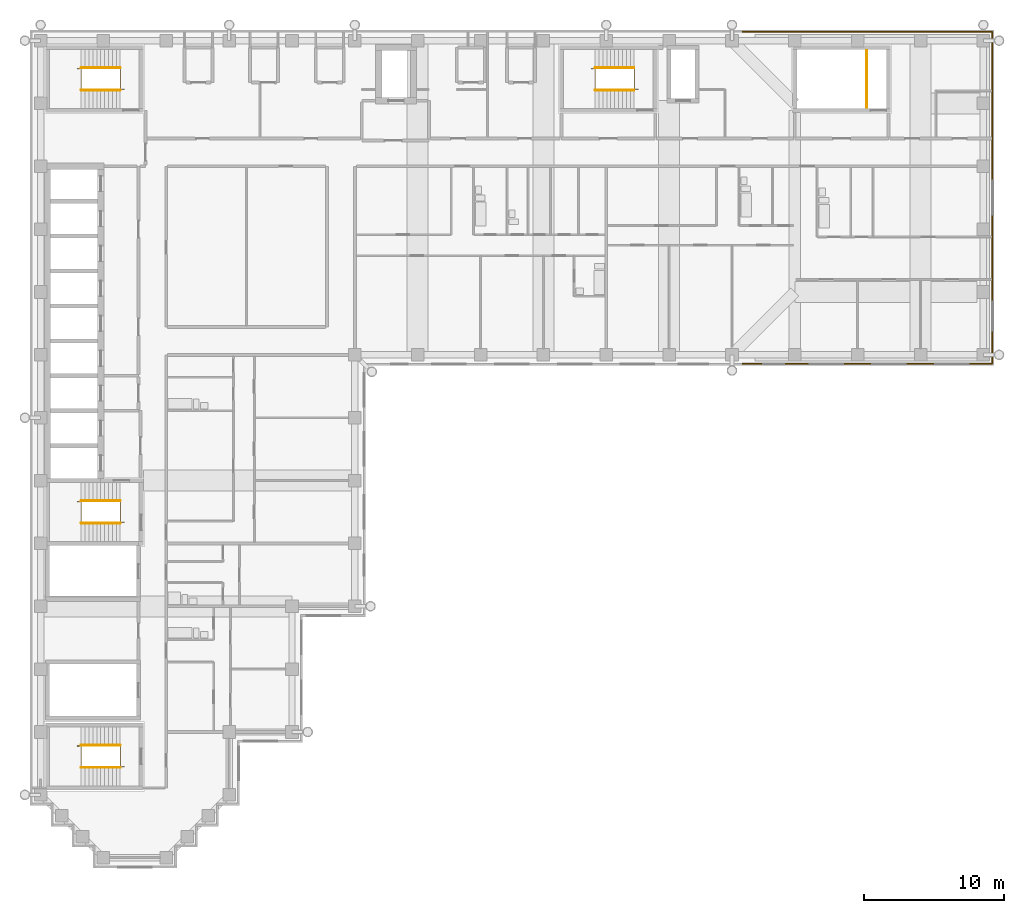
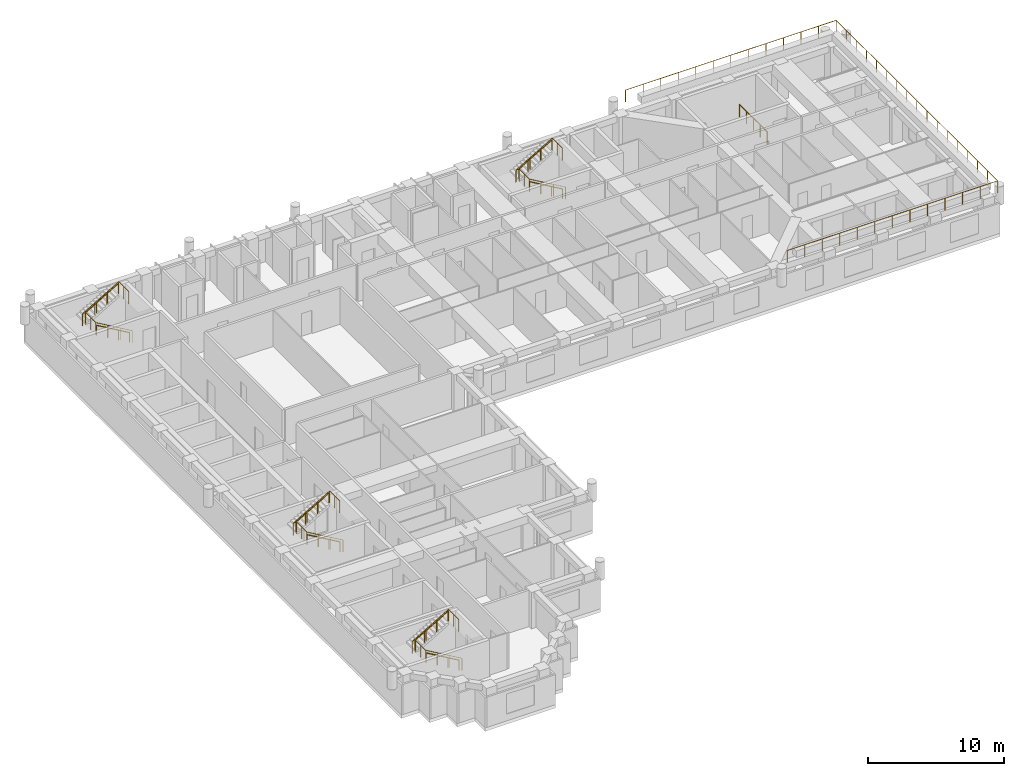
# One storey, part 13 of 14: 14 railings.
"""IFC4 building model written with IfcOpenShell, lengths in metres."""

import ifcopenshell
import ifcopenshell.guid

model = None  # the IFC model being written
_history = None  # IfcOwnerHistory: only IFC2X3 demands one
_inside = {}  # id of a spatial element -> (the spatial element, [elements in it])
_under = {}  # id of a project, library or spatial element -> (it, [spatial elements below it])
_declared = {}  # id of a project -> (the project, [libraries it declares])
_typed = {}  # id of a type object -> (the type object, [elements of that type])
_made_of = {}  # id of a material, layer set ... -> (it, [elements and type objects made of it])


def new_model(schema):
    """Start an empty IFC model of exactly this schema.

    Asked for "IFC4X3", IfcOpenShell would pick the latest addendum, in which some entities
    have other attributes; the version numbers below select the first issue.
    IFC2X3 requires an IfcOwnerHistory on every rooted entity: one is made here for all.
    """
    global model, _history
    if schema == "IFC4X3":
        model = ifcopenshell.file(schema_version=(4, 3, 0, 0))
    else:
        model = ifcopenshell.file(schema=schema)
    _inside.clear()
    _under.clear()
    _declared.clear()
    _typed.clear()
    _made_of.clear()
    _history = None
    if model.schema == "IFC2X3":
        org = make("IfcOrganization", Name="unknown")
        user = make(
            "IfcPersonAndOrganization",
            ThePerson=make("IfcPerson", FamilyName="unknown"),
            TheOrganization=org,
        )
        app = make(
            "IfcApplication",
            ApplicationDeveloper=org,
            Version="unknown",
            ApplicationFullName="unknown",
            ApplicationIdentifier="unknown",
        )
        _history = make(
            "IfcOwnerHistory",
            OwningUser=user,
            OwningApplication=app,
            ChangeAction="ADDED",
            CreationDate=0,
        )
    return model


def make(cls, **values):
    """One entity of the class cls with the attributes given. An attribute that is None is left unset."""
    return model.create_entity(
        cls, **{name: value for name, value in values.items() if value is not None}
    )


def rooted(cls, **values):
    """An entity with a GlobalId (a new one), such as an element, a storey or a relation."""
    return make(cls, GlobalId=ifcopenshell.guid.new(), OwnerHistory=_history, **values)


def si_unit(unit_type, name, prefix=None):
    """IfcSIUnit, for example si_unit("LENGTHUNIT", "METRE", prefix="MILLI")."""
    return make("IfcSIUnit", UnitType=unit_type, Prefix=prefix, Name=name)


def assignment(units):
    """IfcUnitAssignment: the units of a project."""
    return None if units is None else make("IfcUnitAssignment", Units=units)


def point(xyz):
    """IfcCartesianPoint."""
    return None if xyz is None else make("IfcCartesianPoint", Coordinates=xyz)


def direction(xyz):
    """IfcDirection."""
    return None if xyz is None else make("IfcDirection", DirectionRatios=xyz)


def frame(location, z_axis=None, x_axis=None):
    """IfcAxis2Placement3D, a coordinate frame: its origin and axes. An axis left out is left unset."""
    return make(
        "IfcAxis2Placement3D",
        Location=point(location),
        Axis=direction(z_axis),
        RefDirection=direction(x_axis),
    )


def frame_2d(location, x_axis=None):
    """IfcAxis2Placement2D, a coordinate frame in the plane: its origin and x axis."""
    return make(
        "IfcAxis2Placement2D", Location=point(location), RefDirection=direction(x_axis)
    )


def origin():
    """The frame at (0, 0, 0) with its axes left unset."""
    return frame((0.0, 0.0, 0.0))


def origin_2d():
    """The frame at (0, 0) in the plane with its x axis left unset."""
    return frame_2d((0.0, 0.0))


def place(relative_to, where):
    """IfcLocalPlacement: puts the frame where relative to a parent placement (None: the world)."""
    return make(
        "IfcLocalPlacement", PlacementRelTo=relative_to, RelativePlacement=where
    )


def context(
    kind, dimensions, precision=None, world=None, true_north=None, identifier=None
):
    """IfcGeometricRepresentationContext, for example the 3D "Model" context."""
    return make(
        "IfcGeometricRepresentationContext",
        ContextIdentifier=identifier,
        ContextType=kind,
        CoordinateSpaceDimension=dimensions,
        Precision=precision,
        WorldCoordinateSystem=world,
        TrueNorth=true_north,
    )


def subcontext(parent, identifier, kind, view, scale=None):
    """IfcGeometricRepresentationSubContext, for example "Body" below "Model"."""
    return make(
        "IfcGeometricRepresentationSubContext",
        ContextIdentifier=identifier,
        ContextType=kind,
        ParentContext=parent,
        TargetScale=scale,
        TargetView=view,
    )


def project(units=None, contexts=None):
    """IfcProject with its units and contexts."""
    return rooted(
        "IfcProject",
        Name="project",
        RepresentationContexts=contexts,
        UnitsInContext=assignment(units),
    )


def spatial(cls, under=None, at=None, **own):
    """A site, building, storey or space (cls), placed at a placement, below another one or the project."""
    s = rooted(cls, ObjectPlacement=at, **own)
    if under is not None:
        _under.setdefault(under.id(), (under, []))[1].append(s)
    return s


def profile(cls, at=None, kind="AREA", **sizes):
    """A parametric profile (cls). Its sizes go by their IFC names, for example OverallWidth=200.0."""
    return make(cls, ProfileType=kind, Position=at, **sizes)


def circle(**sizes):
    """IfcCircleProfileDef."""
    return profile("IfcCircleProfileDef", **sizes)


def extrude(swept, where, along, depth):
    """IfcExtrudedAreaSolid: the profile swept, set in the frame where, extruded along a direction by depth."""
    return make(
        "IfcExtrudedAreaSolid",
        SweptArea=swept,
        Position=where,
        ExtrudedDirection=direction(along),
        Depth=depth,
    )


def shape(context_of_items, identifier, shape_type, items):
    """IfcShapeRepresentation: the items that make up one representation, for example the "Body"."""
    return make(
        "IfcShapeRepresentation",
        ContextOfItems=context_of_items,
        RepresentationIdentifier=identifier,
        RepresentationType=shape_type,
        Items=items,
    )


def material(Name=None, Category=None):
    """IfcMaterial."""
    return make("IfcMaterial", Name=Name, Category=Category)


def made_of(thing, what):
    """Note that an element or type object is made of a material, layer set ...; save() writes the relation."""
    if what is not None:
        _made_of.setdefault(what.id(), (what, []))[1].append(thing)
    return thing


def type_object(cls, material=None, **own):
    """A type object (cls), such as IfcWallType, which elements share."""
    return made_of(rooted(cls, **own), material)


def element(
    cls,
    number,
    at=None,
    inside=None,
    cuts=None,
    type_object=None,
    material=None,
    context=None,
    identifier="Body",
    shape_type=None,
    held_by="IfcProductDefinitionShape",
    body=None,
    shapes=None,
    **own,
):
    """One element of the class cls, such as IfcWall. Its Tag is "e" and its number.

    at: its placement. inside: the storey or other place that contains it. cuts: it is an
    opening in that element (IfcRelVoidsElement). A single representation is given by context,
    identifier, shape_type and body (its items); several are given by shapes. held_by: the class
    of the entity that holds the representations. save() writes the other relations.
    """
    e = rooted(cls, Tag="e%d" % number, ObjectPlacement=at, **own)
    if body is not None:
        shapes = [shape(context, identifier, shape_type, body)]
    if shapes is not None:
        e.Representation = make(held_by, Representations=shapes)
    if inside is not None:
        _inside.setdefault(inside.id(), (inside, []))[1].append(e)
    if cuts is not None:
        rooted(
            "IfcRelVoidsElement", RelatingBuildingElement=cuts, RelatedOpeningElement=e
        )
    if type_object is not None:
        _typed.setdefault(type_object.id(), (type_object, []))[1].append(e)
    return made_of(e, material)


def aggregate(whole, parts):
    """IfcRelAggregates: a whole, such as a stair, and the parts it consists of."""
    return rooted("IfcRelAggregates", RelatingObject=whole, RelatedObjects=parts)


def save(model, path):
    """Write the relations noted so far, then the file.

    IfcRelAggregates (storeys below a building ...), IfcRelContainedInSpatialStructure (elements
    in a storey), IfcRelDefinesByType, IfcRelAssociatesMaterial and IfcRelDeclares: one each for
    every whole, place, type object, material and project.
    """
    for whole, parts in _under.values():
        aggregate(whole, parts)
    for where, things in _inside.values():
        rooted(
            "IfcRelContainedInSpatialStructure",
            RelatedElements=things,
            RelatingStructure=where,
        )
    for kind, things in _typed.values():
        rooted("IfcRelDefinesByType", RelatedObjects=things, RelatingType=kind)
    for what, things in _made_of.values():
        rooted("IfcRelAssociatesMaterial", RelatedObjects=things, RelatingMaterial=what)
    for by, libraries in _declared.values():
        rooted("IfcRelDeclares", RelatingContext=by, RelatedDefinitions=libraries)
    model.write(path)


model = new_model("IFC4")

# Units and contexts
model_context = context("Model", 3, precision=1e-05, world=origin(), true_north=direction((0.0, 1.0)))
body_context = subcontext(model_context, "Body", "Model", "MODEL_VIEW")
ifc_project = project(units=[si_unit("LENGTHUNIT", "METRE"), si_unit("AREAUNIT", "SQUARE_METRE"), si_unit("VOLUMEUNIT", "CUBIC_METRE"), si_unit("PLANEANGLEUNIT", "RADIAN"), si_unit("MASSUNIT", "GRAM", prefix="KILO")], contexts=[model_context])

# Site, building, storey
site_placement = place(None, origin())
site = spatial("IfcSite", under=ifc_project, at=site_placement, CompositionType="ELEMENT")
building_placement = place(site_placement, origin())
building = spatial("IfcBuilding", under=site, at=building_placement, Name="Firuza Court", CompositionType="ELEMENT")
storey_placement = place(building_placement, frame((0.0, 0.0, 182.60009765625)))
storey = spatial("IfcBuildingStorey", under=building, at=storey_placement, Name="L46", CompositionType="ELEMENT", Elevation=182.60009765625)

# Railings
ifc_material_1 = material(Name="Steel S355", Category="steel")
railing_type_1 = type_object("IfcRailingType", Name="Handrail 900", PredefinedType="HANDRAIL", material=ifc_material_1)
railing_1_placement = place(storey_placement, frame((42.5, 54.949951171875, 0.16357421875)))
element("IfcRailing", 1, at=railing_1_placement, inside=storey, type_object=railing_type_1, Name="Handrail S1 flight 1", PredefinedType="HANDRAIL", context=body_context, shape_type="SweptSolid", body=[
    extrude(circle(Radius=0.02490234375, at=origin_2d()), frame((0.0, 0.0, 0.875), z_axis=(-0.863393664356, 0.0, 0.504530851732), x_axis=(0.0, -1.0, 0.0)), (0.0, 0.0, 1.0), 3.2431640625),
    extrude(circle(Radius=0.02001953125, at=origin_2d()), origin(), (0.0, 0.0, 1.0), 0.849853515625),
    extrude(circle(Radius=0.02001953125, at=origin_2d()), frame((-0.933349609375, 0.0, 0.54541015625)), (0.0, 0.0, 1.0), 0.849853515625),
    extrude(circle(Radius=0.02001953125, at=origin_2d()), frame((-1.86669921875, 0.0, 1.0908203125)), (0.0, 0.0, 1.0), 0.849853515625),
    extrude(circle(Radius=0.02001953125, at=origin_2d()), frame((-2.800048828125, 0.0, 1.63623046875)), (0.0, 0.0, 1.0), 0.849853515625),
])
railing_2_placement = place(storey_placement, frame((39.699951171875, 56.550048828125, 1.963623046875)))
element("IfcRailing", 2, at=railing_2_placement, inside=storey, type_object=railing_type_1, Name="Handrail S1 flight 2", PredefinedType="HANDRAIL", context=body_context, shape_type="SweptSolid", body=[
    extrude(circle(Radius=0.02490234375, at=origin_2d()), frame((0.0, 0.0, 0.875), z_axis=(0.863393664356, 0.0, 0.504530851732), x_axis=(0.0, 1.0, 0.0)), (0.0, 0.0, 1.0), 3.2431640625),
    extrude(circle(Radius=0.02001953125, at=origin_2d()), origin(), (0.0, 0.0, 1.0), 0.849853515625),
    extrude(circle(Radius=0.02001953125, at=origin_2d()), frame((0.933349609375, 0.0, 0.54541015625)), (0.0, 0.0, 1.0), 0.849853515625),
    extrude(circle(Radius=0.02001953125, at=origin_2d()), frame((1.86669921875, 0.0, 1.0908203125)), (0.0, 0.0, 1.0), 0.849853515625),
    extrude(circle(Radius=0.02001953125, at=origin_2d()), frame((2.800048828125, 0.0, 1.63623046875)), (0.0, 0.0, 1.0), 0.849853515625),
])
railing_3_placement = place(storey_placement, frame((5.699951171875, 23.949951171875, 0.16357421875)))
element("IfcRailing", 3, at=railing_3_placement, inside=storey, type_object=railing_type_1, Name="Handrail S2 flight 1", PredefinedType="HANDRAIL", context=body_context, shape_type="SweptSolid", body=[
    extrude(circle(Radius=0.02490234375, at=origin_2d()), frame((0.0, 0.0, 0.875), z_axis=(-0.863393664356, 0.0, 0.504530851732), x_axis=(0.0, -1.0, 0.0)), (0.0, 0.0, 1.0), 3.2431640625),
    extrude(circle(Radius=0.02001953125, at=origin_2d()), origin(), (0.0, 0.0, 1.0), 0.849853515625),
    extrude(circle(Radius=0.02001953125, at=origin_2d()), frame((-0.933349609375, 0.0, 0.54541015625)), (0.0, 0.0, 1.0), 0.849853515625),
    extrude(circle(Radius=0.02001953125, at=origin_2d()), frame((-1.86669921875, 0.0, 1.0908203125)), (0.0, 0.0, 1.0), 0.849853515625),
    extrude(circle(Radius=0.02001953125, at=origin_2d()), frame((-2.800048828125, 0.0, 1.63623046875)), (0.0, 0.0, 1.0), 0.849853515625),
])
railing_4_placement = place(storey_placement, frame((2.89990234375, 25.550048828125, 1.963623046875)))
element("IfcRailing", 4, at=railing_4_placement, inside=storey, type_object=railing_type_1, Name="Handrail S2 flight 2", PredefinedType="HANDRAIL", context=body_context, shape_type="SweptSolid", body=[
    extrude(circle(Radius=0.02490234375, at=origin_2d()), frame((0.0, 0.0, 0.875), z_axis=(0.863393664356, 0.0, 0.504530851732), x_axis=(0.0, 1.0, 0.0)), (0.0, 0.0, 1.0), 3.2431640625),
    extrude(circle(Radius=0.02001953125, at=origin_2d()), origin(), (0.0, 0.0, 1.0), 0.849853515625),
    extrude(circle(Radius=0.02001953125, at=origin_2d()), frame((0.933349609375, 0.0, 0.54541015625)), (0.0, 0.0, 1.0), 0.849853515625),
    extrude(circle(Radius=0.02001953125, at=origin_2d()), frame((1.86669921875, 0.0, 1.0908203125)), (0.0, 0.0, 1.0), 0.849853515625),
    extrude(circle(Radius=0.02001953125, at=origin_2d()), frame((2.800048828125, 0.0, 1.63623046875)), (0.0, 0.0, 1.0), 0.849853515625),
])
railing_5_placement = place(storey_placement, frame((5.699951171875, 54.949951171875, 0.16357421875)))
element("IfcRailing", 5, at=railing_5_placement, inside=storey, type_object=railing_type_1, Name="Handrail S3 flight 1", PredefinedType="HANDRAIL", context=body_context, shape_type="SweptSolid", body=[
    extrude(circle(Radius=0.02490234375, at=origin_2d()), frame((0.0, 0.0, 0.875), z_axis=(-0.863393664356, 0.0, 0.504530851732), x_axis=(0.0, -1.0, 0.0)), (0.0, 0.0, 1.0), 3.2431640625),
    extrude(circle(Radius=0.02001953125, at=origin_2d()), origin(), (0.0, 0.0, 1.0), 0.849853515625),
    extrude(circle(Radius=0.02001953125, at=origin_2d()), frame((-0.933349609375, 0.0, 0.54541015625)), (0.0, 0.0, 1.0), 0.849853515625),
    extrude(circle(Radius=0.02001953125, at=origin_2d()), frame((-1.86669921875, 0.0, 1.0908203125)), (0.0, 0.0, 1.0), 0.849853515625),
    extrude(circle(Radius=0.02001953125, at=origin_2d()), frame((-2.800048828125, 0.0, 1.63623046875)), (0.0, 0.0, 1.0), 0.849853515625),
])
railing_6_placement = place(storey_placement, frame((2.89990234375, 56.550048828125, 1.963623046875)))
element("IfcRailing", 6, at=railing_6_placement, inside=storey, type_object=railing_type_1, Name="Handrail S3 flight 2", PredefinedType="HANDRAIL", context=body_context, shape_type="SweptSolid", body=[
    extrude(circle(Radius=0.02490234375, at=origin_2d()), frame((0.0, 0.0, 0.875), z_axis=(0.863393664356, 0.0, 0.504530851732), x_axis=(0.0, 1.0, 0.0)), (0.0, 0.0, 1.0), 3.2431640625),
    extrude(circle(Radius=0.02001953125, at=origin_2d()), origin(), (0.0, 0.0, 1.0), 0.849853515625),
    extrude(circle(Radius=0.02001953125, at=origin_2d()), frame((0.933349609375, 0.0, 0.54541015625)), (0.0, 0.0, 1.0), 0.849853515625),
    extrude(circle(Radius=0.02001953125, at=origin_2d()), frame((1.86669921875, 0.0, 1.0908203125)), (0.0, 0.0, 1.0), 0.849853515625),
    extrude(circle(Radius=0.02001953125, at=origin_2d()), frame((2.800048828125, 0.0, 1.63623046875)), (0.0, 0.0, 1.0), 0.849853515625),
])
railing_7_placement = place(storey_placement, frame((5.699951171875, 6.449951171875, 0.16357421875)))
element("IfcRailing", 7, at=railing_7_placement, inside=storey, type_object=railing_type_1, Name="Handrail S5 flight 1", PredefinedType="HANDRAIL", context=body_context, shape_type="SweptSolid", body=[
    extrude(circle(Radius=0.02490234375, at=origin_2d()), frame((0.0, 0.0, 0.875), z_axis=(-0.863393664356, 0.0, 0.504530851732), x_axis=(0.0, -1.0, 0.0)), (0.0, 0.0, 1.0), 3.2431640625),
    extrude(circle(Radius=0.02001953125, at=origin_2d()), origin(), (0.0, 0.0, 1.0), 0.849853515625),
    extrude(circle(Radius=0.02001953125, at=origin_2d()), frame((-0.933349609375, 0.0, 0.54541015625)), (0.0, 0.0, 1.0), 0.849853515625),
    extrude(circle(Radius=0.02001953125, at=origin_2d()), frame((-1.86669921875, 0.0, 1.0908203125)), (0.0, 0.0, 1.0), 0.849853515625),
    extrude(circle(Radius=0.02001953125, at=origin_2d()), frame((-2.800048828125, 0.0, 1.63623046875)), (0.0, 0.0, 1.0), 0.849853515625),
])
railing_8_placement = place(storey_placement, frame((2.89990234375, 8.050048828125, 1.963623046875)))
element("IfcRailing", 8, at=railing_8_placement, inside=storey, type_object=railing_type_1, Name="Handrail S5 flight 2", PredefinedType="HANDRAIL", context=body_context, shape_type="SweptSolid", body=[
    extrude(circle(Radius=0.02490234375, at=origin_2d()), frame((0.0, 0.0, 0.875), z_axis=(0.863393664356, 0.0, 0.504530851732), x_axis=(0.0, 1.0, 0.0)), (0.0, 0.0, 1.0), 3.2431640625),
    extrude(circle(Radius=0.02001953125, at=origin_2d()), origin(), (0.0, 0.0, 1.0), 0.849853515625),
    extrude(circle(Radius=0.02001953125, at=origin_2d()), frame((0.933349609375, 0.0, 0.54541015625)), (0.0, 0.0, 1.0), 0.849853515625),
    extrude(circle(Radius=0.02001953125, at=origin_2d()), frame((1.86669921875, 0.0, 1.0908203125)), (0.0, 0.0, 1.0), 0.849853515625),
    extrude(circle(Radius=0.02001953125, at=origin_2d()), frame((2.800048828125, 0.0, 1.63623046875)), (0.0, 0.0, 1.0), 0.849853515625),
])
ifc_material_2 = material(Name="Steel S355", Category="steel")
railing_type_2 = type_object("IfcRailingType", Name="Stair guard 1100", PredefinedType="GUARDRAIL", material=ifc_material_2)
railing_9_placement = place(storey_placement, frame((59.14990234375, 53.699951171875, 0.0)))
element("IfcRailing", 9, at=railing_9_placement, inside=storey, type_object=railing_type_2, Name="Stair guard S4", PredefinedType="GUARDRAIL", context=body_context, shape_type="SweptSolid", body=[
    extrude(circle(Radius=0.02490234375, at=origin_2d()), frame((0.0, 0.0, 1.0751953125), z_axis=(0.0, 1.0, 0.0), x_axis=(-1.0, 0.0, 0.0)), (0.0, 0.0, 1.0), 4.10009765625),
    extrude(circle(Radius=0.02490234375, at=origin_2d()), origin(), (0.0, 0.0, 1.0), 1.050048828125),
    extrude(circle(Radius=0.02490234375, at=origin_2d()), frame((0.0, 1.02490234375, 0.0)), (0.0, 0.0, 1.0), 1.050048828125),
    extrude(circle(Radius=0.02490234375, at=origin_2d()), frame((0.0, 2.050048828125, 0.0)), (0.0, 0.0, 1.0), 1.050048828125),
    extrude(circle(Radius=0.02490234375, at=origin_2d()), frame((0.0, 3.0751953125, 0.0)), (0.0, 0.0, 1.0), 1.050048828125),
    extrude(circle(Radius=0.02490234375, at=origin_2d()), frame((0.0, 4.10009765625, 0.0)), (0.0, 0.0, 1.0), 1.050048828125),
])
railing_10_placement = place(storey_placement, frame((42.780029296875, 55.010009765625, 0.0)))
element("IfcRailing", 10, at=railing_10_placement, inside=storey, type_object=railing_type_2, Name="Stair well guard S1", PredefinedType="GUARDRAIL", context=body_context, shape_type="SweptSolid", body=[
    extrude(circle(Radius=0.02490234375, at=origin_2d()), frame((0.0, 0.0, 1.0751953125), z_axis=(-0.863401368682, 0.0, 0.504517667242), x_axis=(0.0, -1.0, 0.0)), (0.0, 0.0, 1.0), 3.5673828125),
    extrude(circle(Radius=0.02490234375, at=origin_2d()), frame((-3.080078125, 0.0, 2.875), z_axis=(0.0, 1.0, 0.0), x_axis=(-1.0, 0.0, 0.0)), (0.0, 0.0, 1.0), 1.47998046875),
    extrude(circle(Radius=0.02490234375, at=origin_2d()), frame((-3.080078125, 1.47998046875, 2.875), z_axis=(-1.0, 0.0, 0.0), x_axis=(0.0, -1.0, 0.0)), (0.0, 0.0, 1.0), 0.280029296875),
    extrude(circle(Radius=0.02490234375, at=origin_2d()), frame((-3.360107421875, 1.47998046875, 2.875), z_axis=(0.863371556955, 0.0, 0.504568681787), x_axis=(0.0, 1.0, 0.0)), (0.0, 0.0, 1.0), 3.5673828125),
    extrude(circle(Radius=0.02490234375, at=origin_2d()), frame((-0.280029296875, 1.47998046875, 4.6748046875), z_axis=(0.0, -1.0, 0.0), x_axis=(1.0, 0.0, 0.0)), (0.0, 0.0, 1.0), 1.47998046875),
    extrude(circle(Radius=0.02490234375, at=origin_2d()), origin(), (0.0, 0.0, 1.0), 1.050048828125),
    extrude(circle(Radius=0.02490234375, at=origin_2d()), frame((-1.026611328125, 0.0, 0.599853515625)), (0.0, 0.0, 1.0), 1.050048828125),
    extrude(circle(Radius=0.02490234375, at=origin_2d()), frame((-2.053466796875, 0.0, 1.199951171875)), (0.0, 0.0, 1.0), 1.050048828125),
    extrude(circle(Radius=0.02490234375, at=origin_2d()), frame((-3.080078125, 0.0, 1.7998046875)), (0.0, 0.0, 1.0), 1.050048828125),
    extrude(circle(Radius=0.02490234375, at=origin_2d()), frame((-3.080078125, 0.739990234375, 1.7998046875)), (0.0, 0.0, 1.0), 1.050048828125),
    extrude(circle(Radius=0.02490234375, at=origin_2d()), frame((-3.080078125, 1.47998046875, 1.7998046875)), (0.0, 0.0, 1.0), 1.050048828125),
    extrude(circle(Radius=0.02490234375, at=origin_2d()), frame((-3.360107421875, 1.47998046875, 1.7998046875)), (0.0, 0.0, 1.0), 1.050048828125),
    extrude(circle(Radius=0.02490234375, at=origin_2d()), frame((-2.33349609375, 1.47998046875, 2.39990234375)), (0.0, 0.0, 1.0), 1.050048828125),
    extrude(circle(Radius=0.02490234375, at=origin_2d()), frame((-1.306640625, 1.47998046875, 2.999755859375)), (0.0, 0.0, 1.0), 1.050048828125),
    extrude(circle(Radius=0.02490234375, at=origin_2d()), frame((-0.280029296875, 1.47998046875, 3.599853515625)), (0.0, 0.0, 1.0), 1.050048828125),
    extrude(circle(Radius=0.02490234375, at=origin_2d()), frame((-0.280029296875, 0.739990234375, 3.599853515625)), (0.0, 0.0, 1.0), 1.050048828125),
    extrude(circle(Radius=0.02490234375, at=origin_2d()), frame((-0.280029296875, 0.0, 3.599853515625)), (0.0, 0.0, 1.0), 1.050048828125),
])
railing_11_placement = place(storey_placement, frame((5.97998046875, 24.010009765625, 0.0)))
element("IfcRailing", 11, at=railing_11_placement, inside=storey, type_object=railing_type_2, Name="Stair well guard S2", PredefinedType="GUARDRAIL", context=body_context, shape_type="SweptSolid", body=[
    extrude(circle(Radius=0.02490234375, at=origin_2d()), frame((0.0, 0.0, 1.0751953125), z_axis=(-0.863401368682, 0.0, 0.504517667242), x_axis=(0.0, -1.0, 0.0)), (0.0, 0.0, 1.0), 3.5673828125),
    extrude(circle(Radius=0.02490234375, at=origin_2d()), frame((-3.080078125, 0.0, 2.875), z_axis=(0.0, 1.0, 0.0), x_axis=(-1.0, 0.0, 0.0)), (0.0, 0.0, 1.0), 1.47998046875),
    extrude(circle(Radius=0.02490234375, at=origin_2d()), frame((-3.080078125, 1.47998046875, 2.875), z_axis=(-1.0, 0.0, 0.0), x_axis=(0.0, -1.0, 0.0)), (0.0, 0.0, 1.0), 0.27978515625),
    extrude(circle(Radius=0.02490234375, at=origin_2d()), frame((-3.35986328125, 1.47998046875, 2.875), z_axis=(0.863354132664, 0.0, 0.504598495452), x_axis=(0.0, 1.0, 0.0)), (0.0, 0.0, 1.0), 3.5673828125),
    extrude(circle(Radius=0.02490234375, at=origin_2d()), frame((-0.280029296875, 1.47998046875, 4.6748046875), z_axis=(0.0, -1.0, 0.0), x_axis=(1.0, 0.0, 0.0)), (0.0, 0.0, 1.0), 1.47998046875),
    extrude(circle(Radius=0.02490234375, at=origin_2d()), origin(), (0.0, 0.0, 1.0), 1.050048828125),
    extrude(circle(Radius=0.02490234375, at=origin_2d()), frame((-1.026611328125, 0.0, 0.599853515625)), (0.0, 0.0, 1.0), 1.050048828125),
    extrude(circle(Radius=0.02490234375, at=origin_2d()), frame((-2.053466796875, 0.0, 1.199951171875)), (0.0, 0.0, 1.0), 1.050048828125),
    extrude(circle(Radius=0.02490234375, at=origin_2d()), frame((-3.080078125, 0.0, 1.7998046875)), (0.0, 0.0, 1.0), 1.050048828125),
    extrude(circle(Radius=0.02490234375, at=origin_2d()), frame((-3.080078125, 0.739990234375, 1.7998046875)), (0.0, 0.0, 1.0), 1.050048828125),
    extrude(circle(Radius=0.02490234375, at=origin_2d()), frame((-3.080078125, 1.47998046875, 1.7998046875)), (0.0, 0.0, 1.0), 1.050048828125),
    extrude(circle(Radius=0.02490234375, at=origin_2d()), frame((-3.35986328125, 1.47998046875, 1.7998046875)), (0.0, 0.0, 1.0), 1.050048828125),
    extrude(circle(Radius=0.02490234375, at=origin_2d()), frame((-2.333251953125, 1.47998046875, 2.39990234375)), (0.0, 0.0, 1.0), 1.050048828125),
    extrude(circle(Radius=0.02490234375, at=origin_2d()), frame((-1.306640625, 1.47998046875, 2.999755859375)), (0.0, 0.0, 1.0), 1.050048828125),
    extrude(circle(Radius=0.02490234375, at=origin_2d()), frame((-0.280029296875, 1.47998046875, 3.599853515625)), (0.0, 0.0, 1.0), 1.050048828125),
    extrude(circle(Radius=0.02490234375, at=origin_2d()), frame((-0.280029296875, 0.739990234375, 3.599853515625)), (0.0, 0.0, 1.0), 1.050048828125),
    extrude(circle(Radius=0.02490234375, at=origin_2d()), frame((-0.280029296875, 0.0, 3.599853515625)), (0.0, 0.0, 1.0), 1.050048828125),
])
railing_12_placement = place(storey_placement, frame((5.97998046875, 55.010009765625, 0.0)))
element("IfcRailing", 12, at=railing_12_placement, inside=storey, type_object=railing_type_2, Name="Stair well guard S3", PredefinedType="GUARDRAIL", context=body_context, shape_type="SweptSolid", body=[
    extrude(circle(Radius=0.02490234375, at=origin_2d()), frame((0.0, 0.0, 1.0751953125), z_axis=(-0.863401368682, 0.0, 0.504517667242), x_axis=(0.0, -1.0, 0.0)), (0.0, 0.0, 1.0), 3.5673828125),
    extrude(circle(Radius=0.02490234375, at=origin_2d()), frame((-3.080078125, 0.0, 2.875), z_axis=(0.0, 1.0, 0.0), x_axis=(-1.0, 0.0, 0.0)), (0.0, 0.0, 1.0), 1.47998046875),
    extrude(circle(Radius=0.02490234375, at=origin_2d()), frame((-3.080078125, 1.47998046875, 2.875), z_axis=(-1.0, 0.0, 0.0), x_axis=(0.0, -1.0, 0.0)), (0.0, 0.0, 1.0), 0.27978515625),
    extrude(circle(Radius=0.02490234375, at=origin_2d()), frame((-3.35986328125, 1.47998046875, 2.875), z_axis=(0.863354132664, 0.0, 0.504598495452), x_axis=(0.0, 1.0, 0.0)), (0.0, 0.0, 1.0), 3.5673828125),
    extrude(circle(Radius=0.02490234375, at=origin_2d()), frame((-0.280029296875, 1.47998046875, 4.6748046875), z_axis=(0.0, -1.0, 0.0), x_axis=(1.0, 0.0, 0.0)), (0.0, 0.0, 1.0), 1.47998046875),
    extrude(circle(Radius=0.02490234375, at=origin_2d()), origin(), (0.0, 0.0, 1.0), 1.050048828125),
    extrude(circle(Radius=0.02490234375, at=origin_2d()), frame((-1.026611328125, 0.0, 0.599853515625)), (0.0, 0.0, 1.0), 1.050048828125),
    extrude(circle(Radius=0.02490234375, at=origin_2d()), frame((-2.053466796875, 0.0, 1.199951171875)), (0.0, 0.0, 1.0), 1.050048828125),
    extrude(circle(Radius=0.02490234375, at=origin_2d()), frame((-3.080078125, 0.0, 1.7998046875)), (0.0, 0.0, 1.0), 1.050048828125),
    extrude(circle(Radius=0.02490234375, at=origin_2d()), frame((-3.080078125, 0.739990234375, 1.7998046875)), (0.0, 0.0, 1.0), 1.050048828125),
    extrude(circle(Radius=0.02490234375, at=origin_2d()), frame((-3.080078125, 1.47998046875, 1.7998046875)), (0.0, 0.0, 1.0), 1.050048828125),
    extrude(circle(Radius=0.02490234375, at=origin_2d()), frame((-3.35986328125, 1.47998046875, 1.7998046875)), (0.0, 0.0, 1.0), 1.050048828125),
    extrude(circle(Radius=0.02490234375, at=origin_2d()), frame((-2.333251953125, 1.47998046875, 2.39990234375)), (0.0, 0.0, 1.0), 1.050048828125),
    extrude(circle(Radius=0.02490234375, at=origin_2d()), frame((-1.306640625, 1.47998046875, 2.999755859375)), (0.0, 0.0, 1.0), 1.050048828125),
    extrude(circle(Radius=0.02490234375, at=origin_2d()), frame((-0.280029296875, 1.47998046875, 3.599853515625)), (0.0, 0.0, 1.0), 1.050048828125),
    extrude(circle(Radius=0.02490234375, at=origin_2d()), frame((-0.280029296875, 0.739990234375, 3.599853515625)), (0.0, 0.0, 1.0), 1.050048828125),
    extrude(circle(Radius=0.02490234375, at=origin_2d()), frame((-0.280029296875, 0.0, 3.599853515625)), (0.0, 0.0, 1.0), 1.050048828125),
])
railing_13_placement = place(storey_placement, frame((5.97998046875, 6.510009765625, 0.0)))
element("IfcRailing", 13, at=railing_13_placement, inside=storey, type_object=railing_type_2, Name="Stair well guard S5", PredefinedType="GUARDRAIL", context=body_context, shape_type="SweptSolid", body=[
    extrude(circle(Radius=0.02490234375, at=origin_2d()), frame((0.0, 0.0, 1.0751953125), z_axis=(-0.863401368682, 0.0, 0.504517667242), x_axis=(0.0, -1.0, 0.0)), (0.0, 0.0, 1.0), 3.5673828125),
    extrude(circle(Radius=0.02490234375, at=origin_2d()), frame((-3.080078125, 0.0, 2.875), z_axis=(0.0, 1.0, 0.0), x_axis=(-1.0, 0.0, 0.0)), (0.0, 0.0, 1.0), 1.47998046875),
    extrude(circle(Radius=0.02490234375, at=origin_2d()), frame((-3.080078125, 1.47998046875, 2.875), z_axis=(-1.0, 0.0, 0.0), x_axis=(0.0, -1.0, 0.0)), (0.0, 0.0, 1.0), 0.27978515625),
    extrude(circle(Radius=0.02490234375, at=origin_2d()), frame((-3.35986328125, 1.47998046875, 2.875), z_axis=(0.863354132664, 0.0, 0.504598495452), x_axis=(0.0, 1.0, 0.0)), (0.0, 0.0, 1.0), 3.5673828125),
    extrude(circle(Radius=0.02490234375, at=origin_2d()), frame((-0.280029296875, 1.47998046875, 4.6748046875), z_axis=(0.0, -1.0, 0.0), x_axis=(1.0, 0.0, 0.0)), (0.0, 0.0, 1.0), 1.47998046875),
    extrude(circle(Radius=0.02490234375, at=origin_2d()), origin(), (0.0, 0.0, 1.0), 1.050048828125),
    extrude(circle(Radius=0.02490234375, at=origin_2d()), frame((-1.026611328125, 0.0, 0.599853515625)), (0.0, 0.0, 1.0), 1.050048828125),
    extrude(circle(Radius=0.02490234375, at=origin_2d()), frame((-2.053466796875, 0.0, 1.199951171875)), (0.0, 0.0, 1.0), 1.050048828125),
    extrude(circle(Radius=0.02490234375, at=origin_2d()), frame((-3.080078125, 0.0, 1.7998046875)), (0.0, 0.0, 1.0), 1.050048828125),
    extrude(circle(Radius=0.02490234375, at=origin_2d()), frame((-3.080078125, 0.739990234375, 1.7998046875)), (0.0, 0.0, 1.0), 1.050048828125),
    extrude(circle(Radius=0.02490234375, at=origin_2d()), frame((-3.080078125, 1.47998046875, 1.7998046875)), (0.0, 0.0, 1.0), 1.050048828125),
    extrude(circle(Radius=0.02490234375, at=origin_2d()), frame((-3.35986328125, 1.47998046875, 1.7998046875)), (0.0, 0.0, 1.0), 1.050048828125),
    extrude(circle(Radius=0.02490234375, at=origin_2d()), frame((-2.333251953125, 1.47998046875, 2.39990234375)), (0.0, 0.0, 1.0), 1.050048828125),
    extrude(circle(Radius=0.02490234375, at=origin_2d()), frame((-1.306640625, 1.47998046875, 2.999755859375)), (0.0, 0.0, 1.0), 1.050048828125),
    extrude(circle(Radius=0.02490234375, at=origin_2d()), frame((-0.280029296875, 1.47998046875, 3.599853515625)), (0.0, 0.0, 1.0), 1.050048828125),
    extrude(circle(Radius=0.02490234375, at=origin_2d()), frame((-0.280029296875, 0.739990234375, 3.599853515625)), (0.0, 0.0, 1.0), 1.050048828125),
    extrude(circle(Radius=0.02490234375, at=origin_2d()), frame((-0.280029296875, 0.0, 3.599853515625)), (0.0, 0.0, 1.0), 1.050048828125),
])
ifc_material_3 = material(Name="Stainless steel 1.4301", Category="steel")
railing_type_3 = type_object("IfcRailingType", Name="Terrace guard 1100", PredefinedType="GUARDRAIL", material=ifc_material_3)
railing_14_placement = place(storey_placement, frame((50.25, 59.1298828125, 3.599853515625)))
element("IfcRailing", 14, at=railing_14_placement, inside=storey, type_object=railing_type_3, Name="GUARD L46 terrace", PredefinedType="GUARDRAIL", context=body_context, shape_type="SweptSolid", body=[
    extrude(circle(Radius=0.02490234375, at=origin_2d()), frame((0.0, 0.0, 1.0751953125), z_axis=(1.0, 0.0, 0.0), x_axis=(0.0, 1.0, 0.0)), (0.0, 0.0, 1.0), 17.8798828125),
    extrude(circle(Radius=0.02490234375, at=origin_2d()), frame((17.8798828125, 0.0, 1.0751953125), z_axis=(0.0, -1.0, 0.0), x_axis=(1.0, 0.0, 0.0)), (0.0, 0.0, 1.0), 23.759765625),
    extrude(circle(Radius=0.02490234375, at=origin_2d()), frame((17.8798828125, -23.759765625, 1.0751953125), z_axis=(-1.0, 0.0, 0.0), x_axis=(0.0, -1.0, 0.0)), (0.0, 0.0, 1.0), 17.8798828125),
    extrude(circle(Radius=0.02490234375, at=origin_2d()), origin(), (0.0, 0.0, 1.0), 1.050048828125),
    extrude(circle(Radius=0.02490234375, at=origin_2d()), frame((1.489990234375, 0.0, 0.0)), (0.0, 0.0, 1.0), 1.050048828125),
    extrude(circle(Radius=0.02490234375, at=origin_2d()), frame((2.97998046875, 0.0, 0.0)), (0.0, 0.0, 1.0), 1.050048828125),
    extrude(circle(Radius=0.02490234375, at=origin_2d()), frame((4.469970703125, 0.0, 0.0)), (0.0, 0.0, 1.0), 1.050048828125),
    extrude(circle(Radius=0.02490234375, at=origin_2d()), frame((5.9599609375, 0.0, 0.0)), (0.0, 0.0, 1.0), 1.050048828125),
    extrude(circle(Radius=0.02490234375, at=origin_2d()), frame((7.449951171875, 0.0, 0.0)), (0.0, 0.0, 1.0), 1.050048828125),
    extrude(circle(Radius=0.02490234375, at=origin_2d()), frame((8.93994140625, 0.0, 0.0)), (0.0, 0.0, 1.0), 1.050048828125),
    extrude(circle(Radius=0.02490234375, at=origin_2d()), frame((10.429931640625, 0.0, 0.0)), (0.0, 0.0, 1.0), 1.050048828125),
    extrude(circle(Radius=0.02490234375, at=origin_2d()), frame((11.919921875, 0.0, 0.0)), (0.0, 0.0, 1.0), 1.050048828125),
    extrude(circle(Radius=0.02490234375, at=origin_2d()), frame((13.409912109375, 0.0, 0.0)), (0.0, 0.0, 1.0), 1.050048828125),
    extrude(circle(Radius=0.02490234375, at=origin_2d()), frame((14.89990234375, 0.0, 0.0)), (0.0, 0.0, 1.0), 1.050048828125),
    extrude(circle(Radius=0.02490234375, at=origin_2d()), frame((16.389892578125, 0.0, 0.0)), (0.0, 0.0, 1.0), 1.050048828125),
    extrude(circle(Radius=0.02490234375, at=origin_2d()), frame((17.8798828125, 0.0, 0.0)), (0.0, 0.0, 1.0), 1.050048828125),
    extrude(circle(Radius=0.02490234375, at=origin_2d()), frame((17.8798828125, -1.48486328125, 0.0)), (0.0, 0.0, 1.0), 1.050048828125),
    extrude(circle(Radius=0.02490234375, at=origin_2d()), frame((17.8798828125, -2.969970703125, 0.0)), (0.0, 0.0, 1.0), 1.050048828125),
    extrude(circle(Radius=0.02490234375, at=origin_2d()), frame((17.8798828125, -4.455078125, 0.0)), (0.0, 0.0, 1.0), 1.050048828125),
    extrude(circle(Radius=0.02490234375, at=origin_2d()), frame((17.8798828125, -5.93994140625, 0.0)), (0.0, 0.0, 1.0), 1.050048828125),
    extrude(circle(Radius=0.02490234375, at=origin_2d()), frame((17.8798828125, -7.4248046875, 0.0)), (0.0, 0.0, 1.0), 1.050048828125),
    extrude(circle(Radius=0.02490234375, at=origin_2d()), frame((17.8798828125, -8.909912109375, 0.0)), (0.0, 0.0, 1.0), 1.050048828125),
    extrude(circle(Radius=0.02490234375, at=origin_2d()), frame((17.8798828125, -10.39501953125, 0.0)), (0.0, 0.0, 1.0), 1.050048828125),
    extrude(circle(Radius=0.02490234375, at=origin_2d()), frame((17.8798828125, -11.8798828125, 0.0)), (0.0, 0.0, 1.0), 1.050048828125),
    extrude(circle(Radius=0.02490234375, at=origin_2d()), frame((17.8798828125, -13.36474609375, 0.0)), (0.0, 0.0, 1.0), 1.050048828125),
    extrude(circle(Radius=0.02490234375, at=origin_2d()), frame((17.8798828125, -14.849853515625, 0.0)), (0.0, 0.0, 1.0), 1.050048828125),
    extrude(circle(Radius=0.02490234375, at=origin_2d()), frame((17.8798828125, -16.3349609375, 0.0)), (0.0, 0.0, 1.0), 1.050048828125),
    extrude(circle(Radius=0.02490234375, at=origin_2d()), frame((17.8798828125, -17.81982421875, 0.0)), (0.0, 0.0, 1.0), 1.050048828125),
    extrude(circle(Radius=0.02490234375, at=origin_2d()), frame((17.8798828125, -19.3046875, 0.0)), (0.0, 0.0, 1.0), 1.050048828125),
    extrude(circle(Radius=0.02490234375, at=origin_2d()), frame((17.8798828125, -20.789794921875, 0.0)), (0.0, 0.0, 1.0), 1.050048828125),
    extrude(circle(Radius=0.02490234375, at=origin_2d()), frame((17.8798828125, -22.27490234375, 0.0)), (0.0, 0.0, 1.0), 1.050048828125),
    extrude(circle(Radius=0.02490234375, at=origin_2d()), frame((17.8798828125, -23.759765625, 0.0)), (0.0, 0.0, 1.0), 1.050048828125),
    extrude(circle(Radius=0.02490234375, at=origin_2d()), frame((16.389892578125, -23.759765625, 0.0)), (0.0, 0.0, 1.0), 1.050048828125),
    extrude(circle(Radius=0.02490234375, at=origin_2d()), frame((14.89990234375, -23.759765625, 0.0)), (0.0, 0.0, 1.0), 1.050048828125),
    extrude(circle(Radius=0.02490234375, at=origin_2d()), frame((13.409912109375, -23.759765625, 0.0)), (0.0, 0.0, 1.0), 1.050048828125),
    extrude(circle(Radius=0.02490234375, at=origin_2d()), frame((11.919921875, -23.759765625, 0.0)), (0.0, 0.0, 1.0), 1.050048828125),
    extrude(circle(Radius=0.02490234375, at=origin_2d()), frame((10.429931640625, -23.759765625, 0.0)), (0.0, 0.0, 1.0), 1.050048828125),
    extrude(circle(Radius=0.02490234375, at=origin_2d()), frame((8.93994140625, -23.759765625, 0.0)), (0.0, 0.0, 1.0), 1.050048828125),
    extrude(circle(Radius=0.02490234375, at=origin_2d()), frame((7.449951171875, -23.759765625, 0.0)), (0.0, 0.0, 1.0), 1.050048828125),
    extrude(circle(Radius=0.02490234375, at=origin_2d()), frame((5.9599609375, -23.759765625, 0.0)), (0.0, 0.0, 1.0), 1.050048828125),
    extrude(circle(Radius=0.02490234375, at=origin_2d()), frame((4.469970703125, -23.759765625, 0.0)), (0.0, 0.0, 1.0), 1.050048828125),
    extrude(circle(Radius=0.02490234375, at=origin_2d()), frame((2.97998046875, -23.759765625, 0.0)), (0.0, 0.0, 1.0), 1.050048828125),
    extrude(circle(Radius=0.02490234375, at=origin_2d()), frame((1.489990234375, -23.759765625, 0.0)), (0.0, 0.0, 1.0), 1.050048828125),
    extrude(circle(Radius=0.02490234375, at=origin_2d()), frame((0.0, -23.759765625, 0.0)), (0.0, 0.0, 1.0), 1.050048828125),
])

save(model, "model.ifc")
